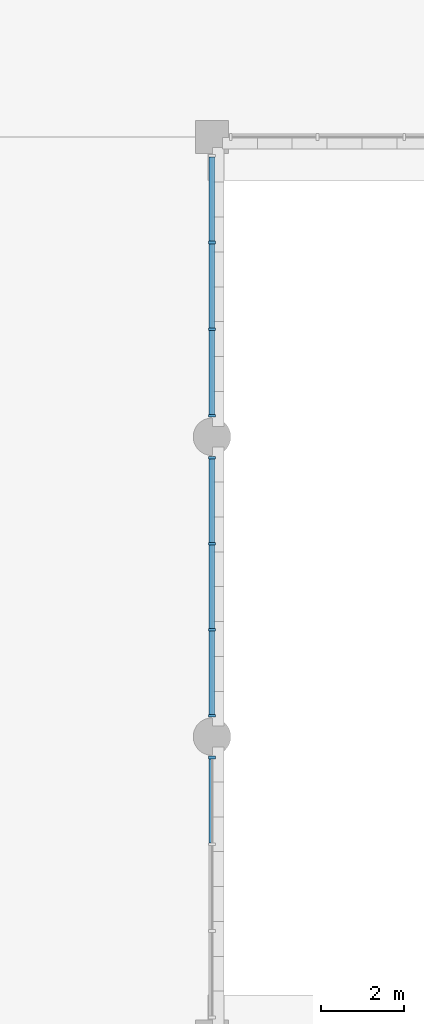
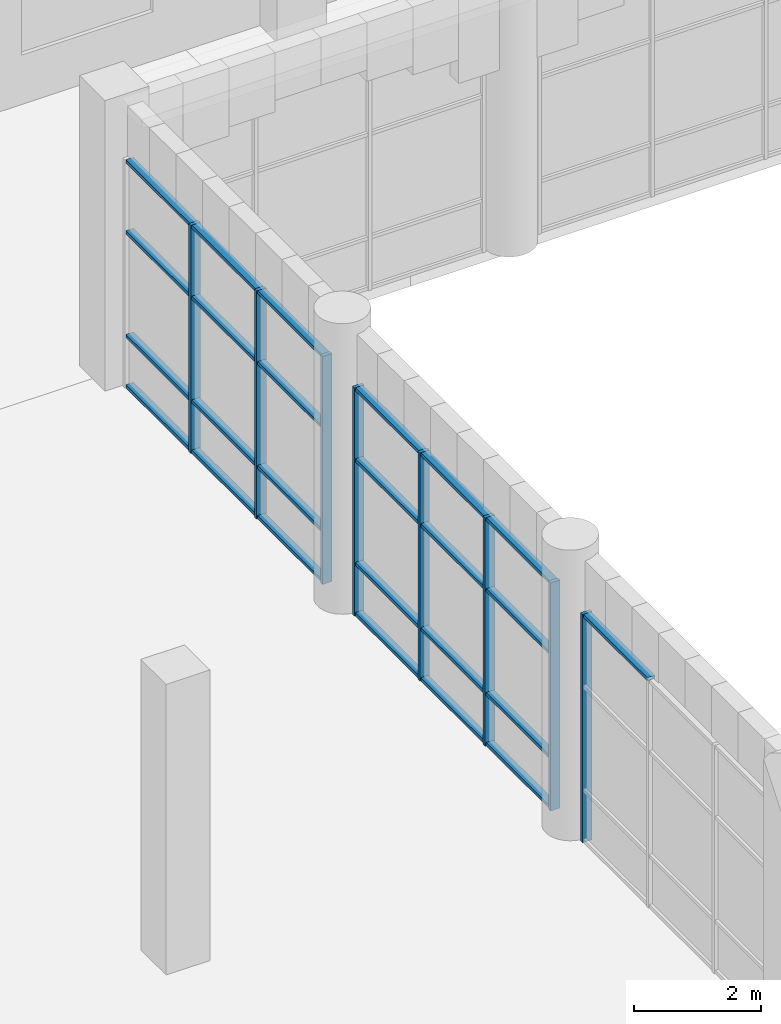
# One storey, part 13 of 85: 33 members, 3 elements without a shape of their own.
"""IFC4 building model written with IfcOpenShell, lengths in metres."""

from ifc_helpers import new_model, si_unit, direction, frame, origin, origin_2d, place, context, subcontext, project, spatial, rectangle, extrude, material, material_profile, profile_set, type_object, element, aggregate, save


model = new_model("IFC4")

# Units and contexts
model_context = context("Model", 3, precision=1e-05, world=origin(), true_north=direction((0.0, 1.0)))
body_context = subcontext(model_context, "Body", "Model", "MODEL_VIEW")
ifc_project = project(units=[si_unit("LENGTHUNIT", "METRE"), si_unit("AREAUNIT", "SQUARE_METRE"), si_unit("VOLUMEUNIT", "CUBIC_METRE"), si_unit("PLANEANGLEUNIT", "RADIAN"), si_unit("MASSUNIT", "GRAM", prefix="KILO")], contexts=[model_context])

# Site, building, storey
site_placement = place(None, origin())
site = spatial("IfcSite", under=ifc_project, at=site_placement, CompositionType="ELEMENT")
building_placement = place(site_placement, origin())
building = spatial("IfcBuilding", under=site, at=building_placement, Name="Sardonyx Promenade Sports Hall", CompositionType="ELEMENT")
storey_placement = place(building_placement, origin())
storey = spatial("IfcBuildingStorey", under=building, at=storey_placement, Name="L00", CompositionType="ELEMENT", Elevation=0.0)

# Curtain wall, member
ifc_material_1 = material(Name="Aluminium 6063-T6", Category="aluminium")
curtain_wall_type = type_object("IfcCurtainWallType", Name="CW_Riwaq_L00_640", PredefinedType="USERDEFINED", material=ifc_material_1)
curtain_wall_1_placement = place(storey_placement, origin())
curtain_wall_1 = element("IfcCurtainWall", 1, at=curtain_wall_1_placement, inside=storey, type_object=curtain_wall_type, Name="Curtain wall CW17 cw:L00:120", ObjectType="CURTAIN WALL", PredefinedType="USERDEFINED")
ifc_material_2 = material(Name="Aluminium 6063-T6", Category="aluminium")
ifc_material_profile_1 = material_profile(ifc_material_2, rectangle(XDim=0.06494140625, YDim=0.175048828125, at=origin_2d()))
ifc_profile_set_1 = profile_set([ifc_material_profile_1], Name="Aluminium 6063-T6")
member_type_1 = type_object("IfcMemberType", Name="CW_Mull_175", PredefinedType="MULLION", material=ifc_profile_set_1)
member_1_placement = place(storey_placement, frame((43.199951171875, 49.8974609375, 0.0), z_axis=(0.0, 0.0, 1.0), x_axis=(0.0, -1.0, 0.0)))
member_1 = element("IfcMember", 2, at=member_1_placement, type_object=member_type_1, Name="Mullion CM02 cw:L00:120 #1", PredefinedType="MULLION", context=body_context, shape_type="SweptSolid", body=[
    extrude(rectangle(XDim=0.06494140625, YDim=0.175048828125, at=origin_2d()), origin(), (0.0, 0.0, 1.0), 4.39990234375),
])

# Curtain wall, members
curtain_wall_2_placement = place(storey_placement, origin())
curtain_wall_2 = element("IfcCurtainWall", 3, at=curtain_wall_2_placement, inside=storey, type_object=curtain_wall_type, Name="Curtain wall CW17 cw:L00:122", ObjectType="CURTAIN WALL", PredefinedType="USERDEFINED")
member_2_placement = place(storey_placement, frame((43.199951171875, 57.097412109375, 0.0), z_axis=(0.0, 0.0, 1.0), x_axis=(0.0, -1.0, 0.0)))
member_2 = element("IfcMember", 4, at=member_2_placement, type_object=member_type_1, Name="Mullion CM02 cw:L00:122 #1", PredefinedType="MULLION", context=body_context, shape_type="SweptSolid", body=[
    extrude(rectangle(XDim=0.06494140625, YDim=0.175048828125, at=origin_2d()), origin(), (0.0, 0.0, 1.0), 4.39990234375),
])
member_3_placement = place(storey_placement, frame((43.199951171875, 55.032470703125, 0.0), z_axis=(0.0, 0.0, 1.0), x_axis=(0.0, -1.0, 0.0)))
member_3 = element("IfcMember", 5, at=member_3_placement, type_object=member_type_1, Name="Mullion CM02 cw:L00:122 #2", PredefinedType="MULLION", context=body_context, shape_type="SweptSolid", body=[
    extrude(rectangle(XDim=0.06494140625, YDim=0.175048828125, at=origin_2d()), origin(), (0.0, 0.0, 1.0), 4.39990234375),
])
member_4_placement = place(storey_placement, frame((43.199951171875, 52.967529296875, 0.0), z_axis=(0.0, 0.0, 1.0), x_axis=(0.0, -1.0, 0.0)))
member_4 = element("IfcMember", 6, at=member_4_placement, type_object=member_type_1, Name="Mullion CM02 cw:L00:122 #3", PredefinedType="MULLION", context=body_context, shape_type="SweptSolid", body=[
    extrude(rectangle(XDim=0.06494140625, YDim=0.175048828125, at=origin_2d()), origin(), (0.0, 0.0, 1.0), 4.39990234375),
])
member_5_placement = place(storey_placement, frame((43.199951171875, 50.902587890625, 0.0), z_axis=(0.0, 0.0, 1.0), x_axis=(0.0, -1.0, 0.0)))
member_5 = element("IfcMember", 7, at=member_5_placement, type_object=member_type_1, Name="Mullion CM02 cw:L00:122 #4", PredefinedType="MULLION", context=body_context, shape_type="SweptSolid", body=[
    extrude(rectangle(XDim=0.06494140625, YDim=0.175048828125, at=origin_2d()), origin(), (0.0, 0.0, 1.0), 4.39990234375),
])

curtain_wall_3_placement = place(storey_placement, origin())
curtain_wall_3 = element("IfcCurtainWall", 8, at=curtain_wall_3_placement, inside=storey, type_object=curtain_wall_type, Name="Curtain wall CW17 cw:L00:124", ObjectType="CURTAIN WALL", PredefinedType="USERDEFINED")
member_6_placement = place(storey_placement, frame((43.199951171875, 62.265869140625, 0.0), z_axis=(0.0, 0.0, 1.0), x_axis=(0.0, -1.0, 0.0)))
member_6 = element("IfcMember", 9, at=member_6_placement, type_object=member_type_1, Name="Mullion CM02 cw:L00:124 #2", PredefinedType="MULLION", context=body_context, shape_type="SweptSolid", body=[
    extrude(rectangle(XDim=0.06494140625, YDim=0.175048828125, at=origin_2d()), origin(), (0.0, 0.0, 1.0), 4.39990234375),
])
member_7_placement = place(storey_placement, frame((43.199951171875, 60.18408203125, 0.0), z_axis=(0.0, 0.0, 1.0), x_axis=(0.0, -1.0, 0.0)))
member_7 = element("IfcMember", 10, at=member_7_placement, type_object=member_type_1, Name="Mullion CM02 cw:L00:124 #3", PredefinedType="MULLION", context=body_context, shape_type="SweptSolid", body=[
    extrude(rectangle(XDim=0.06494140625, YDim=0.175048828125, at=origin_2d()), origin(), (0.0, 0.0, 1.0), 4.39990234375),
])
member_8_placement = place(storey_placement, frame((43.199951171875, 58.1025390625, 0.0), z_axis=(0.0, 0.0, 1.0), x_axis=(0.0, -1.0, 0.0)))
member_8 = element("IfcMember", 11, at=member_8_placement, type_object=member_type_1, Name="Mullion CM02 cw:L00:124 #4", PredefinedType="MULLION", context=body_context, shape_type="SweptSolid", body=[
    extrude(rectangle(XDim=0.06494140625, YDim=0.175048828125, at=origin_2d()), origin(), (0.0, 0.0, 1.0), 4.39990234375),
])

# Member
ifc_material_3 = material(Name="Aluminium 6063-T6", Category="aluminium")
ifc_material_profile_2 = material_profile(ifc_material_3, rectangle(XDim=0.06494140625, YDim=0.139892578125, at=origin_2d()))
ifc_profile_set_2 = profile_set([ifc_material_profile_2], Name="Aluminium 6063-T6")
member_type_2 = type_object("IfcMemberType", Name="CW_Tran_140", PredefinedType="USERDEFINED", material=ifc_profile_set_2)
member_9_placement = place(storey_placement, frame((43.199951171875, 49.864990234375, 4.367431640625), z_axis=(0.0, -1.0, 0.0), x_axis=(0.0, 0.0, 1.0)))
member_9 = element("IfcMember", 12, at=member_9_placement, type_object=member_type_2, Name="Transom CT02 cw:L00:120 #4", ObjectType="TRANSOM", PredefinedType="USERDEFINED", context=body_context, shape_type="SweptSolid", body=[
    extrude(rectangle(XDim=0.06494140625, YDim=0.139892578125, at=origin_2d()), origin(), (0.0, 0.0, 1.0), 2.0166015625),
])

aggregate(curtain_wall_1, [member_1, member_9])

member_10_placement = place(storey_placement, frame((43.199951171875, 57.06494140625, 0.032470703125), z_axis=(0.0, -1.0, 0.0), x_axis=(0.0, 0.0, 1.0)))
member_10 = element("IfcMember", 13, at=member_10_placement, type_object=member_type_2, Name="Transom CT02 cw:L00:122 #1", ObjectType="TRANSOM", PredefinedType="USERDEFINED", context=body_context, shape_type="SweptSolid", body=[
    extrude(rectangle(XDim=0.06494140625, YDim=0.139892578125, at=origin_2d()), origin(), (0.0, 0.0, 1.0), 2.0),
])

member_11_placement = place(storey_placement, frame((43.199951171875, 57.06494140625, 1.0), z_axis=(0.0, -1.0, 0.0), x_axis=(0.0, 0.0, 1.0)))
member_11 = element("IfcMember", 14, at=member_11_placement, type_object=member_type_2, Name="Transom CT02 cw:L00:122 #2", ObjectType="TRANSOM", PredefinedType="USERDEFINED", context=body_context, shape_type="SweptSolid", body=[
    extrude(rectangle(XDim=0.06494140625, YDim=0.139892578125, at=origin_2d()), origin(), (0.0, 0.0, 1.0), 2.0),
])

member_12_placement = place(storey_placement, frame((43.199951171875, 57.06494140625, 3.0), z_axis=(0.0, -1.0, 0.0), x_axis=(0.0, 0.0, 1.0)))
member_12 = element("IfcMember", 15, at=member_12_placement, type_object=member_type_2, Name="Transom CT02 cw:L00:122 #3", ObjectType="TRANSOM", PredefinedType="USERDEFINED", context=body_context, shape_type="SweptSolid", body=[
    extrude(rectangle(XDim=0.06494140625, YDim=0.139892578125, at=origin_2d()), origin(), (0.0, 0.0, 1.0), 2.0),
])

member_13_placement = place(storey_placement, frame((43.199951171875, 57.06494140625, 4.367431640625), z_axis=(0.0, -1.0, 0.0), x_axis=(0.0, 0.0, 1.0)))
member_13 = element("IfcMember", 16, at=member_13_placement, type_object=member_type_2, Name="Transom CT02 cw:L00:122 #4", ObjectType="TRANSOM", PredefinedType="USERDEFINED", context=body_context, shape_type="SweptSolid", body=[
    extrude(rectangle(XDim=0.06494140625, YDim=0.139892578125, at=origin_2d()), origin(), (0.0, 0.0, 1.0), 2.0),
])

member_14_placement = place(storey_placement, frame((43.199951171875, 55.0, 0.032470703125), z_axis=(0.0, -1.0, 0.0), x_axis=(0.0, 0.0, 1.0)))
member_14 = element("IfcMember", 17, at=member_14_placement, type_object=member_type_2, Name="Transom CT02 cw:L00:122 #5", ObjectType="TRANSOM", PredefinedType="USERDEFINED", context=body_context, shape_type="SweptSolid", body=[
    extrude(rectangle(XDim=0.06494140625, YDim=0.139892578125, at=origin_2d()), origin(), (0.0, 0.0, 1.0), 2.0),
])

member_15_placement = place(storey_placement, frame((43.199951171875, 55.0, 1.0), z_axis=(0.0, -1.0, 0.0), x_axis=(0.0, 0.0, 1.0)))
member_15 = element("IfcMember", 18, at=member_15_placement, type_object=member_type_2, Name="Transom CT02 cw:L00:122 #6", ObjectType="TRANSOM", PredefinedType="USERDEFINED", context=body_context, shape_type="SweptSolid", body=[
    extrude(rectangle(XDim=0.06494140625, YDim=0.139892578125, at=origin_2d()), origin(), (0.0, 0.0, 1.0), 2.0),
])

member_16_placement = place(storey_placement, frame((43.199951171875, 55.0, 3.0), z_axis=(0.0, -1.0, 0.0), x_axis=(0.0, 0.0, 1.0)))
member_16 = element("IfcMember", 19, at=member_16_placement, type_object=member_type_2, Name="Transom CT02 cw:L00:122 #7", ObjectType="TRANSOM", PredefinedType="USERDEFINED", context=body_context, shape_type="SweptSolid", body=[
    extrude(rectangle(XDim=0.06494140625, YDim=0.139892578125, at=origin_2d()), origin(), (0.0, 0.0, 1.0), 2.0),
])

member_17_placement = place(storey_placement, frame((43.199951171875, 55.0, 4.367431640625), z_axis=(0.0, -1.0, 0.0), x_axis=(0.0, 0.0, 1.0)))
member_17 = element("IfcMember", 20, at=member_17_placement, type_object=member_type_2, Name="Transom CT02 cw:L00:122 #8", ObjectType="TRANSOM", PredefinedType="USERDEFINED", context=body_context, shape_type="SweptSolid", body=[
    extrude(rectangle(XDim=0.06494140625, YDim=0.139892578125, at=origin_2d()), origin(), (0.0, 0.0, 1.0), 2.0),
])

member_18_placement = place(storey_placement, frame((43.199951171875, 52.93505859375, 0.032470703125), z_axis=(0.0, -1.0, 0.0), x_axis=(0.0, 0.0, 1.0)))
member_18 = element("IfcMember", 21, at=member_18_placement, type_object=member_type_2, Name="Transom CT02 cw:L00:122 #9", ObjectType="TRANSOM", PredefinedType="USERDEFINED", context=body_context, shape_type="SweptSolid", body=[
    extrude(rectangle(XDim=0.06494140625, YDim=0.139892578125, at=origin_2d()), origin(), (0.0, 0.0, 1.0), 2.0),
])

member_19_placement = place(storey_placement, frame((43.199951171875, 52.93505859375, 1.0), z_axis=(0.0, -1.0, 0.0), x_axis=(0.0, 0.0, 1.0)))
member_19 = element("IfcMember", 22, at=member_19_placement, type_object=member_type_2, Name="Transom CT02 cw:L00:122 #10", ObjectType="TRANSOM", PredefinedType="USERDEFINED", context=body_context, shape_type="SweptSolid", body=[
    extrude(rectangle(XDim=0.06494140625, YDim=0.139892578125, at=origin_2d()), origin(), (0.0, 0.0, 1.0), 2.0),
])

member_20_placement = place(storey_placement, frame((43.199951171875, 52.93505859375, 3.0), z_axis=(0.0, -1.0, 0.0), x_axis=(0.0, 0.0, 1.0)))
member_20 = element("IfcMember", 23, at=member_20_placement, type_object=member_type_2, Name="Transom CT02 cw:L00:122 #11", ObjectType="TRANSOM", PredefinedType="USERDEFINED", context=body_context, shape_type="SweptSolid", body=[
    extrude(rectangle(XDim=0.06494140625, YDim=0.139892578125, at=origin_2d()), origin(), (0.0, 0.0, 1.0), 2.0),
])

member_21_placement = place(storey_placement, frame((43.199951171875, 52.93505859375, 4.367431640625), z_axis=(0.0, -1.0, 0.0), x_axis=(0.0, 0.0, 1.0)))
member_21 = element("IfcMember", 24, at=member_21_placement, type_object=member_type_2, Name="Transom CT02 cw:L00:122 #12", ObjectType="TRANSOM", PredefinedType="USERDEFINED", context=body_context, shape_type="SweptSolid", body=[
    extrude(rectangle(XDim=0.06494140625, YDim=0.139892578125, at=origin_2d()), origin(), (0.0, 0.0, 1.0), 2.0),
])

aggregate(curtain_wall_2, [member_2, member_3, member_4, member_5, member_10, member_11, member_12, member_13, member_14, member_15, member_16, member_17, member_18, member_19, member_20, member_21])

member_22_placement = place(storey_placement, frame((43.199951171875, 64.31494140625, 0.032470703125), z_axis=(0.0, -1.0, 0.0), x_axis=(0.0, 0.0, 1.0)))
member_22 = element("IfcMember", 25, at=member_22_placement, type_object=member_type_2, Name="Transom CT02 cw:L00:124 #1", ObjectType="TRANSOM", PredefinedType="USERDEFINED", context=body_context, shape_type="SweptSolid", body=[
    extrude(rectangle(XDim=0.06494140625, YDim=0.139892578125, at=origin_2d()), origin(), (0.0, 0.0, 1.0), 2.0166015625),
])

member_23_placement = place(storey_placement, frame((43.199951171875, 64.31494140625, 1.0), z_axis=(0.0, -1.0, 0.0), x_axis=(0.0, 0.0, 1.0)))
member_23 = element("IfcMember", 26, at=member_23_placement, type_object=member_type_2, Name="Transom CT02 cw:L00:124 #2", ObjectType="TRANSOM", PredefinedType="USERDEFINED", context=body_context, shape_type="SweptSolid", body=[
    extrude(rectangle(XDim=0.06494140625, YDim=0.139892578125, at=origin_2d()), origin(), (0.0, 0.0, 1.0), 2.0166015625),
])

member_24_placement = place(storey_placement, frame((43.199951171875, 64.31494140625, 3.0), z_axis=(0.0, -1.0, 0.0), x_axis=(0.0, 0.0, 1.0)))
member_24 = element("IfcMember", 27, at=member_24_placement, type_object=member_type_2, Name="Transom CT02 cw:L00:124 #3", ObjectType="TRANSOM", PredefinedType="USERDEFINED", context=body_context, shape_type="SweptSolid", body=[
    extrude(rectangle(XDim=0.06494140625, YDim=0.139892578125, at=origin_2d()), origin(), (0.0, 0.0, 1.0), 2.0166015625),
])

member_25_placement = place(storey_placement, frame((43.199951171875, 64.31494140625, 4.367431640625), z_axis=(0.0, -1.0, 0.0), x_axis=(0.0, 0.0, 1.0)))
member_25 = element("IfcMember", 28, at=member_25_placement, type_object=member_type_2, Name="Transom CT02 cw:L00:124 #4", ObjectType="TRANSOM", PredefinedType="USERDEFINED", context=body_context, shape_type="SweptSolid", body=[
    extrude(rectangle(XDim=0.06494140625, YDim=0.139892578125, at=origin_2d()), origin(), (0.0, 0.0, 1.0), 2.0166015625),
])

member_26_placement = place(storey_placement, frame((43.199951171875, 62.2333984375, 0.032470703125), z_axis=(0.0, -1.0, 0.0), x_axis=(0.0, 0.0, 1.0)))
member_26 = element("IfcMember", 29, at=member_26_placement, type_object=member_type_2, Name="Transom CT02 cw:L00:124 #5", ObjectType="TRANSOM", PredefinedType="USERDEFINED", context=body_context, shape_type="SweptSolid", body=[
    extrude(rectangle(XDim=0.06494140625, YDim=0.139892578125, at=origin_2d()), origin(), (0.0, 0.0, 1.0), 2.016845703125),
])

member_27_placement = place(storey_placement, frame((43.199951171875, 62.2333984375, 1.0), z_axis=(0.0, -1.0, 0.0), x_axis=(0.0, 0.0, 1.0)))
member_27 = element("IfcMember", 30, at=member_27_placement, type_object=member_type_2, Name="Transom CT02 cw:L00:124 #6", ObjectType="TRANSOM", PredefinedType="USERDEFINED", context=body_context, shape_type="SweptSolid", body=[
    extrude(rectangle(XDim=0.06494140625, YDim=0.139892578125, at=origin_2d()), origin(), (0.0, 0.0, 1.0), 2.016845703125),
])

member_28_placement = place(storey_placement, frame((43.199951171875, 62.2333984375, 3.0), z_axis=(0.0, -1.0, 0.0), x_axis=(0.0, 0.0, 1.0)))
member_28 = element("IfcMember", 31, at=member_28_placement, type_object=member_type_2, Name="Transom CT02 cw:L00:124 #7", ObjectType="TRANSOM", PredefinedType="USERDEFINED", context=body_context, shape_type="SweptSolid", body=[
    extrude(rectangle(XDim=0.06494140625, YDim=0.139892578125, at=origin_2d()), origin(), (0.0, 0.0, 1.0), 2.016845703125),
])

member_29_placement = place(storey_placement, frame((43.199951171875, 62.2333984375, 4.367431640625), z_axis=(0.0, -1.0, 0.0), x_axis=(0.0, 0.0, 1.0)))
member_29 = element("IfcMember", 32, at=member_29_placement, type_object=member_type_2, Name="Transom CT02 cw:L00:124 #8", ObjectType="TRANSOM", PredefinedType="USERDEFINED", context=body_context, shape_type="SweptSolid", body=[
    extrude(rectangle(XDim=0.06494140625, YDim=0.139892578125, at=origin_2d()), origin(), (0.0, 0.0, 1.0), 2.016845703125),
])

member_30_placement = place(storey_placement, frame((43.199951171875, 60.151611328125, 0.032470703125), z_axis=(0.0, -1.0, 0.0), x_axis=(0.0, 0.0, 1.0)))
member_30 = element("IfcMember", 33, at=member_30_placement, type_object=member_type_2, Name="Transom CT02 cw:L00:124 #9", ObjectType="TRANSOM", PredefinedType="USERDEFINED", context=body_context, shape_type="SweptSolid", body=[
    extrude(rectangle(XDim=0.06494140625, YDim=0.139892578125, at=origin_2d()), origin(), (0.0, 0.0, 1.0), 2.0166015625),
])

member_31_placement = place(storey_placement, frame((43.199951171875, 60.151611328125, 1.0), z_axis=(0.0, -1.0, 0.0), x_axis=(0.0, 0.0, 1.0)))
member_31 = element("IfcMember", 34, at=member_31_placement, type_object=member_type_2, Name="Transom CT02 cw:L00:124 #10", ObjectType="TRANSOM", PredefinedType="USERDEFINED", context=body_context, shape_type="SweptSolid", body=[
    extrude(rectangle(XDim=0.06494140625, YDim=0.139892578125, at=origin_2d()), origin(), (0.0, 0.0, 1.0), 2.0166015625),
])

member_32_placement = place(storey_placement, frame((43.199951171875, 60.151611328125, 3.0), z_axis=(0.0, -1.0, 0.0), x_axis=(0.0, 0.0, 1.0)))
member_32 = element("IfcMember", 35, at=member_32_placement, type_object=member_type_2, Name="Transom CT02 cw:L00:124 #11", ObjectType="TRANSOM", PredefinedType="USERDEFINED", context=body_context, shape_type="SweptSolid", body=[
    extrude(rectangle(XDim=0.06494140625, YDim=0.139892578125, at=origin_2d()), origin(), (0.0, 0.0, 1.0), 2.0166015625),
])

member_33_placement = place(storey_placement, frame((43.199951171875, 60.151611328125, 4.367431640625), z_axis=(0.0, -1.0, 0.0), x_axis=(0.0, 0.0, 1.0)))
member_33 = element("IfcMember", 36, at=member_33_placement, type_object=member_type_2, Name="Transom CT02 cw:L00:124 #12", ObjectType="TRANSOM", PredefinedType="USERDEFINED", context=body_context, shape_type="SweptSolid", body=[
    extrude(rectangle(XDim=0.06494140625, YDim=0.139892578125, at=origin_2d()), origin(), (0.0, 0.0, 1.0), 2.0166015625),
])

aggregate(curtain_wall_3, [member_6, member_7, member_8, member_22, member_23, member_24, member_25, member_26, member_27, member_28, member_29, member_30, member_31, member_32, member_33])

save(model, "model.ifc")
